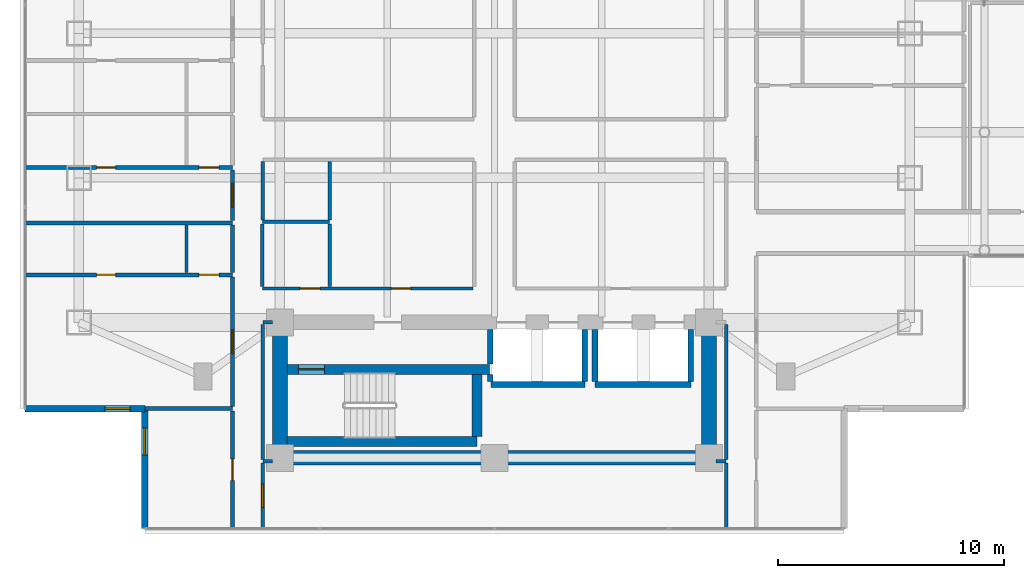
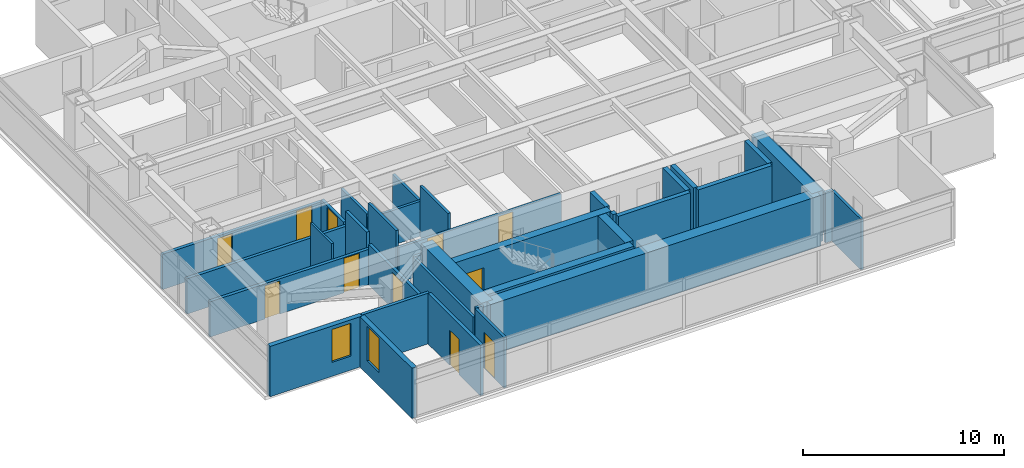
# One storey, part 15 of 27: 37 walls, 11 doors, 2 windows, 13 openings.
"""IFC4 building model written with IfcOpenShell, lengths in metres."""

from ifc_helpers import new_model, si_unit, direction, frame, frame_2d, origin, place, context, subcontext, project, spatial, rectangle, extrude, material, layer, layer_set, type_object, element, fill, save


model = new_model("IFC4")

# Units and contexts
model_context = context("Model", 3, precision=1e-05, world=origin(), true_north=direction((0.0, 1.0)))
body_context = subcontext(model_context, "Body", "Model", "MODEL_VIEW")
ifc_project = project(units=[si_unit("LENGTHUNIT", "METRE"), si_unit("AREAUNIT", "SQUARE_METRE"), si_unit("VOLUMEUNIT", "CUBIC_METRE"), si_unit("PLANEANGLEUNIT", "RADIAN"), si_unit("MASSUNIT", "GRAM", prefix="KILO")], contexts=[model_context])

# Site, building, storey
site_placement = place(None, origin())
site = spatial("IfcSite", under=ifc_project, at=site_placement, CompositionType="ELEMENT")
building_placement = place(site_placement, origin())
building = spatial("IfcBuilding", under=site, at=building_placement, Name="Mirazonda Arch Towers", CompositionType="ELEMENT")
storey_placement = place(building_placement, frame((0.0, 0.0, 95.0)))
storey = spatial("IfcBuildingStorey", under=building, at=storey_placement, Name="L26", CompositionType="ELEMENT", Elevation=95.0)

# Wall
ifc_material_1 = material(Name="Concrete C50/60", Category="concrete")
ifc_layer_1 = layer(ifc_material_1, 0.449951171875, Name="WALL-CORE-450")
ifc_layer_set_1 = layer_set([ifc_layer_1], Name="Concrete C50/60")
wall_type_1 = type_object("IfcWallType", Name="WALL-CORE-450", PredefinedType="SHEAR", material=ifc_layer_set_1)
wall_1_placement = place(storey_placement, frame((11.320068359375, 13.1201171875, 0.0), z_axis=(0.0, 0.0, 1.0), x_axis=(1.0, 0.0, 0.0)))
element("IfcWall", 1, at=wall_1_placement, inside=storey, type_object=wall_type_1, Name="L26 Stair Core Shear Wall 003", PredefinedType="SHEAR", context=body_context, shape_type="SweptSolid", body=[
    extrude(rectangle(XDim=8.409912109375, YDim=0.449951171875, at=frame_2d((4.205078125, 0.0))), origin(), (0.0, 0.0, 1.0), 3.080078125),
])

# Wall, opening, door
wall_2_placement = place(storey_placement, frame((11.320068359375, 16.320068359375, 0.0), z_axis=(0.0, 0.0, 1.0), x_axis=(1.0, 0.0, 0.0)))
wall_2 = element("IfcWall", 2, at=wall_2_placement, inside=storey, type_object=wall_type_1, Name="L26 Stair Core Shear Wall 008", PredefinedType="SHEAR", context=body_context, shape_type="SweptSolid", body=[
    extrude(rectangle(XDim=8.9599609375, YDim=0.449951171875, at=frame_2d((4.47998046875, 0.0))), origin(), (0.0, 0.0, 1.0), 3.080078125),
])
opening_1_placement = place(wall_2_placement, frame((0.4951171875, 0.0, 0.0)))
opening_1 = element("IfcOpeningElement", 3, at=opening_1_placement, cuts=wall_2, Name="Opening DR-135", PredefinedType="OPENING", context=body_context, shape_type="SweptSolid", body=[
    extrude(rectangle(XDim=1.14990234375, YDim=2.199951171875, at=frame_2d((0.574951171875, 1.10009765625))), frame((0.0, 0.23486328125, 0.0), z_axis=(0.0, -1.0, 0.0), x_axis=(1.0, 0.0, 0.0)), (0.0, 0.0, 1.0), 0.469970703125),
])
ifc_material_2 = material(Name="Architectural Brushed Steel S355", Category="steel")
door_type_1 = type_object("IfcDoorType", Name="DOOR-STAIR-FD90-1150", OperationType="NOTDEFINED", PredefinedType="DOOR", material=ifc_material_2)
door_1_placement = place(opening_1_placement, origin())
door_1 = element("IfcDoor", 4, at=door_1_placement, inside=storey, type_object=door_type_1, Name="L26 Protected Exit Stair South Door", OperationType="SINGLE_SWING_LEFT", OverallHeight=2.199951171875, OverallWidth=1.14990234375, PredefinedType="DOOR", context=body_context, shape_type="SweptSolid", body=[
    extrude(rectangle(XDim=1.14990234375, YDim=2.199951171875, at=frame_2d((0.574951171875, 1.10009765625))), frame((0.0, 0.02490234375, 0.0), z_axis=(0.0, -1.0, 0.0), x_axis=(1.0, 0.0, 0.0)), (0.0, 0.0, 1.0), 0.050048828125),
])
fill(opening_1, door_1)

# Walls
wall_3_placement = place(storey_placement, frame((19.72998046875, 13.35498046875, 0.0), z_axis=(0.0, 0.0, 1.0), x_axis=(0.0, 1.0, 0.0)))
element("IfcWall", 5, at=wall_3_placement, inside=storey, type_object=wall_type_1, Name="L26 Stair Core Shear Wall 098", PredefinedType="SHEAR", context=body_context, shape_type="SweptSolid", body=[
    extrude(rectangle(XDim=2.72998046875, YDim=0.449951171875, at=frame_2d((1.364990234375, 0.0))), origin(), (0.0, 0.0, 1.0), 3.080078125),
])
ifc_material_3 = material(Name="Concrete C60/75", Category="concrete")
ifc_layer_2 = layer(ifc_material_3, 0.64990234375, Name="WALL-CORE-650")
ifc_layer_set_2 = layer_set([ifc_layer_2], Name="Concrete C60/75")
wall_type_2 = type_object("IfcWallType", Name="WALL-CORE-650", PredefinedType="SHEAR", material=ifc_layer_set_2)
wall_4_placement = place(storey_placement, frame((11.0, 12.39990234375, 0.0), z_axis=(0.0, 0.0, 1.0), x_axis=(1.0, 0.0, 0.0)))
element("IfcWall", 6, at=wall_4_placement, inside=storey, type_object=wall_type_2, Name="L26 T1S-S Core Shear Wall", PredefinedType="SHEAR", context=body_context, shape_type="SweptSolid", body=[
    extrude(rectangle(XDim=19.0, YDim=0.64990234375, at=frame_2d((9.5, 0.0))), origin(), (0.0, 0.0, 1.0), 3.080078125),
])
for number, where, z_axis, x_axis, name in (
    (7, (11.0, 12.39990234375, 0.0), (0.0, 0.0, 1.0), (0.0, 1.0, 0.0), "L26 T1S-W Core Shear Wall"),
    (8, (30.0, 12.39990234375, 0.0), (0.0, 0.0, 1.0), (0.0, 1.0, 0.0), "L26 T1S-E Core Shear Wall"),
):
    element("IfcWall", number, at=place(storey_placement, frame(where, z_axis=z_axis, x_axis=x_axis)), inside=storey, type_object=wall_type_2, Name=name, PredefinedType="SHEAR", context=body_context, shape_type="SweptSolid", body=[
        extrude(rectangle(XDim=6.0, YDim=0.64990234375, at=frame_2d((3.0, 0.0))), origin(), (0.0, 0.0, 1.0), 3.080078125),
    ])

# Wall, opening, window
ifc_material_4 = material(Name="Precast Concrete C40/50", Category="concrete")
ifc_layer_3 = layer(ifc_material_4, 0.280029296875, Name="WALL-EXT-WALL-280")
ifc_layer_set_3 = layer_set([ifc_layer_3], Name="Precast Concrete C40/50")
wall_type_3 = type_object("IfcWallType", Name="WALL-EXT-WALL-280", PredefinedType="SOLIDWALL", material=ifc_layer_set_3)
wall_5_placement = place(storey_placement, frame((5.014892578125, 14.5791015625, 0.0), z_axis=(0.0, 0.0, 1.0), x_axis=(0.0, -1.0, 0.0)))
wall_5 = element("IfcWall", 9, at=wall_5_placement, inside=storey, type_object=wall_type_3, Name="L26 T1 Notched SW Corner Wall WL-L26-T1-CSW", PredefinedType="SOLIDWALL", context=body_context, shape_type="SweptSolid", body=[
    extrude(rectangle(XDim=5.30517578125, YDim=0.280029296875, at=frame_2d((2.652587890625, 0.0))), origin(), (0.0, 0.0, 1.0), 3.06005859375),
])
opening_2_placement = place(wall_5_placement, frame((0.85009765625, 0.0, 0.81005859375)))
opening_2 = element("IfcOpeningElement", 10, at=opening_2_placement, cuts=wall_5, Name="Opening WN-122", PredefinedType="OPENING", context=body_context, shape_type="SweptSolid", body=[
    extrude(rectangle(XDim=1.199951171875, YDim=2.10009765625, at=frame_2d((0.60009765625, 1.050048828125))), frame((0.0, 0.14990234375, 0.0), z_axis=(0.0, -1.0, 0.0), x_axis=(1.0, 0.0, 0.0)), (0.0, 0.0, 1.0), 0.300048828125),
])
ifc_material_5 = material(Name="Insulated Low-E Solar Glass", Category="glass")
window_type_1 = type_object("IfcWindowType", Name="WIN-HTL-1200x2100", PartitioningType="SINGLE_PANEL", PredefinedType="WINDOW", material=ifc_material_5)
window_1_placement = place(opening_2_placement, origin())
window_1 = element("IfcWindow", 11, at=window_1_placement, inside=storey, type_object=window_type_1, Name="L26 Punched Facade Window WN-L26-T1-CSW", OverallHeight=2.10009765625, OverallWidth=1.199951171875, PartitioningType="SINGLE_PANEL", PredefinedType="WINDOW", context=body_context, shape_type="SweptSolid", body=[
    extrude(rectangle(XDim=1.199951171875, YDim=2.10009765625, at=frame_2d((0.60009765625, 1.050048828125))), frame((0.0, 0.030029296875, 0.0), z_axis=(0.0, -1.0, 0.0), x_axis=(1.0, 0.0, 0.0)), (0.0, 0.0, 1.0), 0.06005859375),
])
fill(opening_2, window_1)

wall_6_placement = place(storey_placement, frame((-0.2900390625, 14.5791015625, 0.0), z_axis=(0.0, 0.0, 1.0), x_axis=(1.0, 0.0, 0.0)))
wall_6 = element("IfcWall", 12, at=wall_6_placement, inside=storey, type_object=wall_type_3, Name="L26 T1 Corner Notch Return Wall WL-L26-T1-CSW2", PredefinedType="SOLIDWALL", context=body_context, shape_type="SweptSolid", body=[
    extrude(rectangle(XDim=5.304931640625, YDim=0.280029296875, at=frame_2d((2.65234375, 0.0))), origin(), (0.0, 0.0, 1.0), 3.06005859375),
])
opening_3_placement = place(wall_6_placement, frame((3.554931640625, 0.0, 0.85009765625)))
opening_3 = element("IfcOpeningElement", 13, at=opening_3_placement, cuts=wall_6, Name="Opening WN-108", PredefinedType="OPENING", context=body_context, shape_type="SweptSolid", body=[
    extrude(rectangle(XDim=1.10009765625, YDim=2.0, at=frame_2d((0.550048828125, 1.0))), frame((0.0, 0.14990234375, 0.0), z_axis=(0.0, -1.0, 0.0), x_axis=(1.0, 0.0, 0.0)), (0.0, 0.0, 1.0), 0.300048828125),
])
window_type_2 = type_object("IfcWindowType", Name="WIN-NOTCH-1100x2000", PartitioningType="SINGLE_PANEL", PredefinedType="WINDOW", material=ifc_material_5)
window_2_placement = place(opening_3_placement, origin())
window_2 = element("IfcWindow", 14, at=window_2_placement, inside=storey, type_object=window_type_2, Name="L26 Punched Facade Window WN-L26-T1-CSW2", OverallHeight=2.0, OverallWidth=1.10009765625, PartitioningType="SINGLE_PANEL", PredefinedType="WINDOW", context=body_context, shape_type="SweptSolid", body=[
    extrude(rectangle(XDim=1.10009765625, YDim=2.0, at=frame_2d((0.550048828125, 1.0))), frame((0.0, 0.030029296875, 0.0), z_axis=(0.0, -1.0, 0.0), x_axis=(1.0, 0.0, 0.0)), (0.0, 0.0, 1.0), 0.06005859375),
])
fill(opening_3, window_2)

# Walls
ifc_material_6 = material(Name="Fire-Rated Gypsum Stud Partition")
ifc_layer_4 = layer(ifc_material_6, 0.14990234375, Name="WALL-PART-CORR-150")
ifc_layer_set_4 = layer_set([ifc_layer_4], Name="Fire-Rated Gypsum Stud Partition")
wall_type_4 = type_object("IfcWallType", Name="WALL-PART-CORR-150", PredefinedType="PARTITIONING", material=ifc_layer_set_4)
for number, where, z_axis, x_axis, name in (
    (15, (10.239990234375, 12.25, 0.0), (0.0, 0.0, 1.0), (1.0, 0.0, 0.0), "L26 Interior Partition 001"),
    (16, (30.320068359375, 12.25, 0.0), (0.0, 0.0, 1.0), (1.0, 0.0, 0.0), "L26 Interior Partition 002"),
):
    element("IfcWall", number, at=place(storey_placement, frame(where, z_axis=z_axis, x_axis=x_axis)), inside=storey, type_object=wall_type_4, Name=name, PredefinedType="PARTITIONING", context=body_context, shape_type="SweptSolid", body=[
        extrude(rectangle(XDim=0.43994140625, YDim=0.14990234375, at=frame_2d((0.219970703125, 0.0))), origin(), (0.0, 0.0, 1.0), 3.080078125),
    ])
wall_7_placement = place(storey_placement, frame((10.239990234375, 18.39990234375, 0.0), z_axis=(0.0, 0.0, 1.0), x_axis=(1.0, 0.0, 0.0)))
element("IfcWall", 17, at=wall_7_placement, inside=storey, type_object=wall_type_4, Name="L26 Interior Partition 012", PredefinedType="PARTITIONING", context=body_context, shape_type="SweptSolid", body=[
    extrude(rectangle(XDim=0.43994140625, YDim=0.14990234375, at=frame_2d((0.219970703125, 0.0))), origin(), (0.0, 0.0, 1.0), 2.4560546875),
])

# Wall, openings, doors
wall_8_placement = place(storey_placement, frame((10.219970703125, 19.89990234375, 0.0), z_axis=(0.0, 0.0, 1.0), x_axis=(1.0, 0.0, 0.0)))
wall_8 = element("IfcWall", 18, at=wall_8_placement, inside=storey, type_object=wall_type_4, Name="L26 Interior Partition 015", PredefinedType="PARTITIONING", context=body_context, shape_type="SweptSolid", body=[
    extrude(rectangle(XDim=9.340087890625, YDim=0.14990234375, at=frame_2d((4.669921875, 0.0))), origin(), (0.0, 0.0, 1.0), 2.1240234375),
])
opening_4_placement = place(wall_8_placement, frame((1.659912109375, 0.0, 0.0)))
opening_4 = element("IfcOpeningElement", 19, at=opening_4_placement, cuts=wall_8, Name="Opening DR-120", PredefinedType="OPENING", context=body_context, shape_type="SweptSolid", body=[
    extrude(rectangle(XDim=0.89990234375, YDim=2.10009765625, at=frame_2d((0.449951171875, 1.050048828125))), frame((0.0, 0.0849609375, 0.0), z_axis=(0.0, -1.0, 0.0), x_axis=(1.0, 0.0, 0.0)), (0.0, 0.0, 1.0), 0.169921875),
])
opening_5_placement = place(wall_8_placement, frame((5.715087890625, 0.0, 0.0)))
opening_5 = element("IfcOpeningElement", 20, at=opening_5_placement, cuts=wall_8, Name="Opening DR-128", PredefinedType="OPENING", context=body_context, shape_type="SweptSolid", body=[
    extrude(rectangle(XDim=0.85009765625, YDim=2.010009765625, at=frame_2d((0.425048828125, 1.0048828125))), frame((0.0, 0.0849609375, 0.0), z_axis=(0.0, -1.0, 0.0), x_axis=(1.0, 0.0, 0.0)), (0.0, 0.0, 1.0), 0.169921875),
])
door_type_2 = type_object("IfcDoorType", Name="DOOR-RISER-FD60-850", OperationType="NOTDEFINED", PredefinedType="DOOR", material=ifc_material_2)
door_2_placement = place(opening_5_placement, origin())
door_2 = element("IfcDoor", 21, at=door_2_placement, inside=storey, type_object=door_type_2, Name="L26 L26 West Courtyard Study Door", OperationType="SINGLE_SWING_LEFT", OverallHeight=2.010009765625, OverallWidth=0.85009765625, PredefinedType="DOOR", context=body_context, shape_type="SweptSolid", body=[
    extrude(rectangle(XDim=0.85009765625, YDim=2.010009765625, at=frame_2d((0.425048828125, 1.0048828125))), frame((0.0, 0.02490234375, 0.0), z_axis=(0.0, -1.0, 0.0), x_axis=(1.0, 0.0, 0.0)), (0.0, 0.0, 1.0), 0.050048828125),
])
fill(opening_5, door_2)
door_type_3 = type_object("IfcDoorType", Name="DOOR-WC-900", OperationType="NOTDEFINED", PredefinedType="DOOR", material=ifc_material_2)
door_3_placement = place(opening_4_placement, origin())
door_3 = element("IfcDoor", 22, at=door_3_placement, inside=storey, type_object=door_type_3, Name="L26 Common Accessible WC Door", OperationType="SINGLE_SWING_RIGHT", OverallHeight=2.10009765625, OverallWidth=0.89990234375, PredefinedType="DOOR", context=body_context, shape_type="SweptSolid", body=[
    extrude(rectangle(XDim=0.89990234375, YDim=2.10009765625, at=frame_2d((0.449951171875, 1.050048828125))), frame((0.0, 0.02490234375, 0.0), z_axis=(0.0, -1.0, 0.0), x_axis=(1.0, 0.0, 0.0)), (0.0, 0.0, 1.0), 0.050048828125),
])
fill(opening_4, door_3)

# Walls
wall_9_placement = place(storey_placement, frame((10.219970703125, 22.85009765625, 0.0), z_axis=(0.0, 0.0, 1.0), x_axis=(1.0, 0.0, 0.0)))
element("IfcWall", 23, at=wall_9_placement, inside=storey, type_object=wall_type_4, Name="L26 Interior Partition 026", PredefinedType="PARTITIONING", context=body_context, shape_type="SweptSolid", body=[
    extrude(rectangle(XDim=2.97998046875, YDim=0.14990234375, at=frame_2d((1.489990234375, 0.0))), origin(), (0.0, 0.0, 1.0), 2.1240234375),
])
wall_10_placement = place(storey_placement, frame((10.219970703125, 19.985107421875, 0.0), z_axis=(0.0, 0.0, 1.0), x_axis=(0.0, 1.0, 0.0)))
element("IfcWall", 24, at=wall_10_placement, inside=storey, type_object=wall_type_4, Name="L26 Interior Partition 084", PredefinedType="PARTITIONING", context=body_context, shape_type="SweptSolid", body=[
    extrude(rectangle(XDim=2.77978515625, YDim=0.14990234375, at=frame_2d((1.389892578125, 0.0))), origin(), (0.0, 0.0, 1.0), 3.080078125),
])

# Wall, opening, door
wall_11_placement = place(storey_placement, frame((10.239990234375, 9.27392578125, 0.0), z_axis=(0.0, 0.0, 1.0), x_axis=(0.0, 1.0, 0.0)))
wall_11 = element("IfcWall", 25, at=wall_11_placement, inside=storey, type_object=wall_type_4, Name="L26 Interior Partition 085", PredefinedType="PARTITIONING", context=body_context, shape_type="SweptSolid", body=[
    extrude(rectangle(XDim=2.89111328125, YDim=0.14990234375, at=frame_2d((1.445556640625, 0.0))), origin(), (0.0, 0.0, 1.0), 3.080078125),
])
opening_6_placement = place(wall_11_placement, frame((0.92041015625, 0.0, 0.0)))
opening_6 = element("IfcOpeningElement", 26, at=opening_6_placement, cuts=wall_11, Name="Opening DR-121", PredefinedType="OPENING", context=body_context, shape_type="SweptSolid", body=[
    extrude(rectangle(XDim=1.050048828125, YDim=2.199951171875, at=frame_2d((0.52490234375, 1.10009765625))), frame((0.0, 0.0849609375, 0.0), z_axis=(0.0, -1.0, 0.0), x_axis=(1.0, 0.0, 0.0)), (0.0, 0.0, 1.0), 0.169921875),
])
door_type_4 = type_object("IfcDoorType", Name="DOOR-SUITE-FD60-1050", OperationType="NOTDEFINED", PredefinedType="DOOR", material=ifc_material_2)
door_4_placement = place(opening_6_placement, origin())
door_4 = element("IfcDoor", 27, at=door_4_placement, inside=storey, type_object=door_type_4, Name="L26 South Horizon Lounge Gallery Door", OperationType="SINGLE_SWING_LEFT", OverallHeight=2.199951171875, OverallWidth=1.050048828125, PredefinedType="DOOR", context=body_context, shape_type="SweptSolid", body=[
    extrude(rectangle(XDim=1.050048828125, YDim=2.199951171875, at=frame_2d((0.52490234375, 1.10009765625))), frame((0.0, 0.02490234375, 0.0), z_axis=(0.0, -1.0, 0.0), x_axis=(1.0, 0.0, 0.0)), (0.0, 0.0, 1.0), 0.050048828125),
])
fill(opening_6, door_4)

# Walls
wall_12_placement = place(storey_placement, frame((10.239990234375, 12.3349609375, 0.0), z_axis=(0.0, 0.0, 1.0), x_axis=(0.0, 1.0, 0.0)))
element("IfcWall", 28, at=wall_12_placement, inside=storey, type_object=wall_type_4, Name="L26 Interior Partition 086", PredefinedType="PARTITIONING", context=body_context, shape_type="SweptSolid", body=[
    extrude(rectangle(XDim=5.97998046875, YDim=0.14990234375, at=frame_2d((2.989990234375, 0.0))), origin(), (0.0, 0.0, 1.0), 2.4560546875),
])
wall_13_placement = place(storey_placement, frame((10.239990234375, 22.93505859375, 0.0), z_axis=(0.0, 0.0, 1.0), x_axis=(0.0, 1.0, 0.0)))
element("IfcWall", 29, at=wall_13_placement, inside=storey, type_object=wall_type_4, Name="L26 Interior Partition 087", PredefinedType="PARTITIONING", context=body_context, shape_type="SweptSolid", body=[
    extrude(rectangle(XDim=2.579833984375, YDim=0.14990234375, at=frame_2d((1.2900390625, 0.0))), origin(), (0.0, 0.0, 1.0), 2.299072265625),
])
wall_14_placement = place(storey_placement, frame((13.199951171875, 19.985107421875, 0.0), z_axis=(0.0, 0.0, 1.0), x_axis=(0.0, 1.0, 0.0)))
element("IfcWall", 30, at=wall_14_placement, inside=storey, type_object=wall_type_4, Name="L26 Interior Partition 092", PredefinedType="PARTITIONING", context=body_context, shape_type="SweptSolid", body=[
    extrude(rectangle(XDim=2.77978515625, YDim=0.14990234375, at=frame_2d((1.389892578125, 0.0))), origin(), (0.0, 0.0, 1.0), 3.080078125),
])
wall_15_placement = place(storey_placement, frame((13.199951171875, 22.93505859375, 0.0), z_axis=(0.0, 0.0, 1.0), x_axis=(0.0, 1.0, 0.0)))
element("IfcWall", 31, at=wall_15_placement, inside=storey, type_object=wall_type_4, Name="L26 Interior Partition 093", PredefinedType="PARTITIONING", context=body_context, shape_type="SweptSolid", body=[
    extrude(rectangle(XDim=2.579833984375, YDim=0.14990234375, at=frame_2d((1.2900390625, 0.0))), origin(), (0.0, 0.0, 1.0), 2.1240234375),
])
wall_16_placement = place(storey_placement, frame((30.760009765625, 9.27392578125, 0.0), z_axis=(0.0, 0.0, 1.0), x_axis=(0.0, 1.0, 0.0)))
element("IfcWall", 32, at=wall_16_placement, inside=storey, type_object=wall_type_4, Name="L26 Interior Partition 112", PredefinedType="PARTITIONING", context=body_context, shape_type="SweptSolid", body=[
    extrude(rectangle(XDim=2.89111328125, YDim=0.14990234375, at=frame_2d((1.445556640625, 0.0))), origin(), (0.0, 0.0, 1.0), 3.080078125),
])
wall_17_placement = place(storey_placement, frame((30.760009765625, 12.3349609375, 0.0), z_axis=(0.0, 0.0, 1.0), x_axis=(0.0, 1.0, 0.0)))
element("IfcWall", 33, at=wall_17_placement, inside=storey, type_object=wall_type_4, Name="L26 Interior Partition 113", PredefinedType="PARTITIONING", context=body_context, shape_type="SweptSolid", body=[
    extrude(rectangle(XDim=5.97998046875, YDim=0.14990234375, at=frame_2d((2.989990234375, 0.0))), origin(), (0.0, 0.0, 1.0), 2.4560546875),
])
ifc_material_7 = material(Name="Fire-Rated Gypsum Twin-Stud Assembly")
ifc_layer_5 = layer(ifc_material_7, 0.179931640625, Name="WALL-PART-DEMISE-180")
ifc_layer_set_5 = layer_set([ifc_layer_5], Name="Fire-Rated Gypsum Twin-Stud Assembly")
wall_type_5 = type_object("IfcWallType", Name="WALL-PART-DEMISE-180", PredefinedType="PARTITIONING", material=ifc_layer_set_5)
wall_18_placement = place(storey_placement, frame((5.034912109375, 14.5791015625, 0.0), z_axis=(0.0, 0.0, 1.0), x_axis=(1.0, 0.0, 0.0)))
element("IfcWall", 34, at=wall_18_placement, inside=storey, type_object=wall_type_5, Name="L26 Interior Partition 004", PredefinedType="PARTITIONING", context=body_context, shape_type="SweptSolid", body=[
    extrude(rectangle(XDim=3.864990234375, YDim=0.179931640625, at=frame_2d((1.9326171875, 0.0))), origin(), (0.0, 0.0, 1.0), 3.080078125),
])

# Wall, openings, doors
wall_19_placement = place(storey_placement, frame((-0.2900390625, 20.508056640625, 0.0), z_axis=(0.0, 0.0, 1.0), x_axis=(1.0, 0.0, 0.0)))
wall_19 = element("IfcWall", 35, at=wall_19_placement, inside=storey, type_object=wall_type_5, Name="L26 Interior Partition 019", PredefinedType="PARTITIONING", context=body_context, shape_type="SweptSolid", body=[
    extrude(rectangle(XDim=9.18994140625, YDim=0.179931640625, at=frame_2d((4.594970703125, 0.0))), origin(), (0.0, 0.0, 1.0), 2.14501953125),
])
opening_7_placement = place(wall_19_placement, frame((3.169921875, 0.0, 0.0)))
opening_7 = element("IfcOpeningElement", 36, at=opening_7_placement, cuts=wall_19, Name="Opening DR-128", PredefinedType="OPENING", context=body_context, shape_type="SweptSolid", body=[
    extrude(rectangle(XDim=0.85009765625, YDim=2.010009765625, at=frame_2d((0.425048828125, 1.0048828125))), frame((0.0, 0.099853515625, 0.0), z_axis=(0.0, -1.0, 0.0), x_axis=(1.0, 0.0, 0.0)), (0.0, 0.0, 1.0), 0.199951171875),
])
opening_8_placement = place(wall_19_placement, frame((7.699951171875, 0.0, 0.0)))
opening_8 = element("IfcOpeningElement", 37, at=opening_8_placement, cuts=wall_19, Name="Opening DR-120", PredefinedType="OPENING", context=body_context, shape_type="SweptSolid", body=[
    extrude(rectangle(XDim=0.89990234375, YDim=2.10009765625, at=frame_2d((0.449951171875, 1.050048828125))), frame((0.0, 0.099853515625, 0.0), z_axis=(0.0, -1.0, 0.0), x_axis=(1.0, 0.0, 0.0)), (0.0, 0.0, 1.0), 0.199951171875),
])
door_5_placement = place(opening_7_placement, origin())
door_5 = element("IfcDoor", 38, at=door_5_placement, inside=storey, type_object=door_type_2, Name="L26 Guestroom Study 1 Door", OperationType="SINGLE_SWING_RIGHT", OverallHeight=2.010009765625, OverallWidth=0.85009765625, PredefinedType="DOOR", context=body_context, shape_type="SweptSolid", body=[
    extrude(rectangle(XDim=0.85009765625, YDim=2.010009765625, at=frame_2d((0.425048828125, 1.0048828125))), frame((0.0, 0.02490234375, 0.0), z_axis=(0.0, -1.0, 0.0), x_axis=(1.0, 0.0, 0.0)), (0.0, 0.0, 1.0), 0.050048828125),
])
fill(opening_7, door_5)
door_6_placement = place(opening_8_placement, origin())
door_6 = element("IfcDoor", 39, at=door_6_placement, inside=storey, type_object=door_type_3, Name="L26 En-Suite Bathroom 1 Door", OperationType="SINGLE_SWING_LEFT", OverallHeight=2.10009765625, OverallWidth=0.89990234375, PredefinedType="DOOR", context=body_context, shape_type="SweptSolid", body=[
    extrude(rectangle(XDim=0.89990234375, YDim=2.10009765625, at=frame_2d((0.449951171875, 1.050048828125))), frame((0.0, 0.02490234375, 0.0), z_axis=(0.0, -1.0, 0.0), x_axis=(1.0, 0.0, 0.0)), (0.0, 0.0, 1.0), 0.050048828125),
])
fill(opening_8, door_6)

# Wall
wall_20_placement = place(storey_placement, frame((-0.2900390625, 22.80810546875, 0.0), z_axis=(0.0, 0.0, 1.0), x_axis=(1.0, 0.0, 0.0)))
element("IfcWall", 40, at=wall_20_placement, inside=storey, type_object=wall_type_5, Name="L26 Interior Partition 025", PredefinedType="PARTITIONING", context=body_context, shape_type="SweptSolid", body=[
    extrude(rectangle(XDim=9.18994140625, YDim=0.179931640625, at=frame_2d((4.594970703125, 0.0))), origin(), (0.0, 0.0, 1.0), 2.14501953125),
])

# Wall, openings, doors
wall_21_placement = place(storey_placement, frame((-0.2900390625, 25.259033203125, 0.0), z_axis=(0.0, 0.0, 1.0), x_axis=(1.0, 0.0, 0.0)))
wall_21 = element("IfcWall", 41, at=wall_21_placement, inside=storey, type_object=wall_type_5, Name="L26 Interior Partition 030", PredefinedType="PARTITIONING", context=body_context, shape_type="SweptSolid", body=[
    extrude(rectangle(XDim=9.18994140625, YDim=0.179931640625, at=frame_2d((4.594970703125, 0.0))), origin(), (0.0, 0.0, 1.0), 2.14501953125),
])
opening_9_placement = place(wall_21_placement, frame((3.169921875, 0.0, 0.0)))
opening_9 = element("IfcOpeningElement", 42, at=opening_9_placement, cuts=wall_21, Name="Opening DR-128", PredefinedType="OPENING", context=body_context, shape_type="SweptSolid", body=[
    extrude(rectangle(XDim=0.85009765625, YDim=2.010009765625, at=frame_2d((0.425048828125, 1.0048828125))), frame((0.0, 0.099853515625, 0.0), z_axis=(0.0, -1.0, 0.0), x_axis=(1.0, 0.0, 0.0)), (0.0, 0.0, 1.0), 0.199951171875),
])
opening_10_placement = place(wall_21_placement, frame((7.699951171875, 0.0, 0.0)))
opening_10 = element("IfcOpeningElement", 43, at=opening_10_placement, cuts=wall_21, Name="Opening DR-120", PredefinedType="OPENING", context=body_context, shape_type="SweptSolid", body=[
    extrude(rectangle(XDim=0.89990234375, YDim=2.10009765625, at=frame_2d((0.449951171875, 1.050048828125))), frame((0.0, 0.099853515625, 0.0), z_axis=(0.0, -1.0, 0.0), x_axis=(1.0, 0.0, 0.0)), (0.0, 0.0, 1.0), 0.199951171875),
])
door_7_placement = place(opening_9_placement, origin())
door_7 = element("IfcDoor", 44, at=door_7_placement, inside=storey, type_object=door_type_2, Name="L26 Guestroom Study 2 Door", OperationType="SINGLE_SWING_LEFT", OverallHeight=2.010009765625, OverallWidth=0.85009765625, PredefinedType="DOOR", context=body_context, shape_type="SweptSolid", body=[
    extrude(rectangle(XDim=0.85009765625, YDim=2.010009765625, at=frame_2d((0.425048828125, 1.0048828125))), frame((0.0, 0.02490234375, 0.0), z_axis=(0.0, -1.0, 0.0), x_axis=(1.0, 0.0, 0.0)), (0.0, 0.0, 1.0), 0.050048828125),
])
fill(opening_9, door_7)
door_8_placement = place(opening_10_placement, origin())
door_8 = element("IfcDoor", 45, at=door_8_placement, inside=storey, type_object=door_type_3, Name="L26 En-Suite Bathroom 2 Door", OperationType="SINGLE_SWING_RIGHT", OverallHeight=2.10009765625, OverallWidth=0.89990234375, PredefinedType="DOOR", context=body_context, shape_type="SweptSolid", body=[
    extrude(rectangle(XDim=0.89990234375, YDim=2.10009765625, at=frame_2d((0.449951171875, 1.050048828125))), frame((0.0, 0.02490234375, 0.0), z_axis=(0.0, -1.0, 0.0), x_axis=(1.0, 0.0, 0.0)), (0.0, 0.0, 1.0), 0.050048828125),
])
fill(opening_10, door_8)

# Wall, opening, door
wall_22_placement = place(storey_placement, frame((8.89990234375, 9.27392578125, 0.0), z_axis=(0.0, 0.0, 1.0), x_axis=(0.0, 1.0, 0.0)))
wall_22 = element("IfcWall", 46, at=wall_22_placement, inside=storey, type_object=wall_type_5, Name="L26 Interior Partition 074", PredefinedType="PARTITIONING", context=body_context, shape_type="SweptSolid", body=[
    extrude(rectangle(XDim=5.205078125, YDim=0.179931640625, at=frame_2d((2.6025390625, 0.0))), origin(), (0.0, 0.0, 1.0), 3.080078125),
])
opening_11_placement = place(wall_22_placement, frame((2.12744140625, 0.0, 0.0)))
opening_11 = element("IfcOpeningElement", 47, at=opening_11_placement, cuts=wall_22, Name="Opening DR-104", PredefinedType="OPENING", context=body_context, shape_type="SweptSolid", body=[
    extrude(rectangle(XDim=0.949951171875, YDim=2.14990234375, at=frame_2d((0.47509765625, 1.074951171875))), frame((0.0, 0.099853515625, 0.0), z_axis=(0.0, -1.0, 0.0), x_axis=(1.0, 0.0, 0.0)), (0.0, 0.0, 1.0), 0.199951171875),
])
door_type_5 = type_object("IfcDoorType", Name="DOOR-ROOM-950", OperationType="NOTDEFINED", PredefinedType="DOOR", material=ifc_material_2)
door_9_placement = place(opening_11_placement, origin())
door_9 = element("IfcDoor", 48, at=door_9_placement, inside=storey, type_object=door_type_5, Name="L26 South Horizon Lounge Alcove West Door", OperationType="SINGLE_SWING_RIGHT", OverallHeight=2.14990234375, OverallWidth=0.949951171875, PredefinedType="DOOR", context=body_context, shape_type="SweptSolid", body=[
    extrude(rectangle(XDim=0.949951171875, YDim=2.14990234375, at=frame_2d((0.47509765625, 1.074951171875))), frame((0.0, 0.02490234375, 0.0), z_axis=(0.0, -1.0, 0.0), x_axis=(1.0, 0.0, 0.0)), (0.0, 0.0, 1.0), 0.050048828125),
])
fill(opening_11, door_9)

wall_23_placement = place(storey_placement, frame((8.89990234375, 14.678955078125, 0.0), z_axis=(0.0, 0.0, 1.0), x_axis=(0.0, 1.0, 0.0)))
wall_23 = element("IfcWall", 49, at=wall_23_placement, inside=storey, type_object=wall_type_5, Name="L26 Interior Partition 075", PredefinedType="PARTITIONING", context=body_context, shape_type="SweptSolid", body=[
    extrude(rectangle(XDim=5.72900390625, YDim=0.179931640625, at=frame_2d((2.864501953125, 0.0))), origin(), (0.0, 0.0, 1.0), 2.4560546875),
])
opening_12_placement = place(wall_23_placement, frame((2.339599609375, 0.0, 0.0)))
opening_12 = element("IfcOpeningElement", 50, at=opening_12_placement, cuts=wall_23, Name="Opening DR-121", PredefinedType="OPENING", context=body_context, shape_type="SweptSolid", body=[
    extrude(rectangle(XDim=1.050048828125, YDim=2.199951171875, at=frame_2d((0.52490234375, 1.10009765625))), frame((0.0, 0.099853515625, 0.0), z_axis=(0.0, -1.0, 0.0), x_axis=(1.0, 0.0, 0.0)), (0.0, 0.0, 1.0), 0.199951171875),
])
door_10_placement = place(opening_12_placement, origin())
door_10 = element("IfcDoor", 51, at=door_10_placement, inside=storey, type_object=door_type_4, Name="L26 King Hotel Guestroom 1 Door", OperationType="SINGLE_SWING_LEFT", OverallHeight=2.199951171875, OverallWidth=1.050048828125, PredefinedType="DOOR", context=body_context, shape_type="SweptSolid", body=[
    extrude(rectangle(XDim=1.050048828125, YDim=2.199951171875, at=frame_2d((0.52490234375, 1.10009765625))), frame((0.0, 0.02490234375, 0.0), z_axis=(0.0, -1.0, 0.0), x_axis=(1.0, 0.0, 0.0)), (0.0, 0.0, 1.0), 0.050048828125),
])
fill(opening_12, door_10)

# Wall
wall_24_placement = place(storey_placement, frame((8.89990234375, 20.60791015625, 0.0), z_axis=(0.0, 0.0, 1.0), x_axis=(0.0, 1.0, 0.0)))
element("IfcWall", 52, at=wall_24_placement, inside=storey, type_object=wall_type_5, Name="L26 Interior Partition 076", PredefinedType="PARTITIONING", context=body_context, shape_type="SweptSolid", body=[
    extrude(rectangle(XDim=2.10009765625, YDim=0.179931640625, at=frame_2d((1.050048828125, 0.0))), origin(), (0.0, 0.0, 1.0), 3.080078125),
])

# Wall, opening, door
wall_25_placement = place(storey_placement, frame((8.89990234375, 22.907958984375, 0.0), z_axis=(0.0, 0.0, 1.0), x_axis=(0.0, 1.0, 0.0)))
wall_25 = element("IfcWall", 53, at=wall_25_placement, inside=storey, type_object=wall_type_5, Name="L26 Interior Partition 077", PredefinedType="PARTITIONING", context=body_context, shape_type="SweptSolid", body=[
    extrude(rectangle(XDim=2.2509765625, YDim=0.179931640625, at=frame_2d((1.12548828125, 0.0))), origin(), (0.0, 0.0, 1.0), 2.299072265625),
])
opening_13_placement = place(wall_25_placement, frame((0.6005859375, 0.0, 0.0)))
opening_13 = element("IfcOpeningElement", 54, at=opening_13_placement, cuts=wall_25, Name="Opening DR-121", PredefinedType="OPENING", context=body_context, shape_type="SweptSolid", body=[
    extrude(rectangle(XDim=1.050048828125, YDim=2.199951171875, at=frame_2d((0.52490234375, 1.10009765625))), frame((0.0, 0.099853515625, 0.0), z_axis=(0.0, -1.0, 0.0), x_axis=(1.0, 0.0, 0.0)), (0.0, 0.0, 1.0), 0.199951171875),
])
door_11_placement = place(opening_13_placement, origin())
door_11 = element("IfcDoor", 55, at=door_11_placement, inside=storey, type_object=door_type_4, Name="L26 Twin Hotel Guestroom 2 Door", OperationType="SINGLE_SWING_RIGHT", OverallHeight=2.199951171875, OverallWidth=1.050048828125, PredefinedType="DOOR", context=body_context, shape_type="SweptSolid", body=[
    extrude(rectangle(XDim=1.050048828125, YDim=2.199951171875, at=frame_2d((0.52490234375, 1.10009765625))), frame((0.0, 0.02490234375, 0.0), z_axis=(0.0, -1.0, 0.0), x_axis=(1.0, 0.0, 0.0)), (0.0, 0.0, 1.0), 0.050048828125),
])
fill(opening_13, door_11)

# Walls
ifc_material_8 = material(Name="Acoustic Fire-Rated Gypsum Partition")
ifc_layer_6 = layer(ifc_material_8, 0.125, Name="WALL-PART-UNIT-125")
ifc_layer_set_6 = layer_set([ifc_layer_6], Name="Acoustic Fire-Rated Gypsum Partition")
wall_type_6 = type_object("IfcWallType", Name="WALL-PART-UNIT-125", PredefinedType="PARTITIONING", material=ifc_layer_set_6)
wall_26_placement = place(storey_placement, frame((6.860107421875, 20.60791015625, 0.0), z_axis=(0.0, 0.0, 1.0), x_axis=(0.0, 1.0, 0.0)))
element("IfcWall", 56, at=wall_26_placement, inside=storey, type_object=wall_type_6, Name="L26 Interior Partition 070", PredefinedType="PARTITIONING", context=body_context, shape_type="SweptSolid", body=[
    extrude(rectangle(XDim=2.10009765625, YDim=0.125, at=frame_2d((1.050048828125, 0.0))), origin(), (0.0, 0.0, 1.0), 3.080078125),
])
ifc_material_9 = material(Name="Concrete C40/50", Category="concrete")
ifc_layer_7 = layer(ifc_material_9, 0.25, Name="WALL-SHAFT-250")
ifc_layer_set_7 = layer_set([ifc_layer_7], Name="Concrete C40/50")
wall_type_7 = type_object("IfcWallType", Name="WALL-SHAFT-250", PredefinedType="SOLIDWALL", material=ifc_layer_set_7)
wall_27_placement = place(storey_placement, frame((20.35009765625, 15.64990234375, 0.0), z_axis=(0.0, 0.0, 1.0), x_axis=(1.0, 0.0, 0.0)))
element("IfcWall", 57, at=wall_27_placement, inside=storey, type_object=wall_type_7, Name="L26 Interior Partition 006", PredefinedType="SOLIDWALL", context=body_context, shape_type="SweptSolid", body=[
    extrude(rectangle(XDim=4.14990234375, YDim=0.25, at=frame_2d((2.074951171875, 0.0))), origin(), (0.0, 0.0, 1.0), 3.080078125),
])
wall_28_placement = place(storey_placement, frame((24.949951171875, 15.64990234375, 0.0), z_axis=(0.0, 0.0, 1.0), x_axis=(1.0, 0.0, 0.0)))
element("IfcWall", 58, at=wall_28_placement, inside=storey, type_object=wall_type_7, Name="L26 Interior Partition 007", PredefinedType="SOLIDWALL", context=body_context, shape_type="SweptSolid", body=[
    extrude(rectangle(XDim=4.25, YDim=0.25, at=frame_2d((2.125, 0.0))), origin(), (0.0, 0.0, 1.0), 3.080078125),
])
wall_29_placement = place(storey_placement, frame((20.31494140625, 15.784912109375, 0.0), z_axis=(0.0, 0.0, 1.0), x_axis=(0.0, 1.0, 0.0)))
element("IfcWall", 59, at=wall_29_placement, inside=storey, type_object=wall_type_7, Name="L26 Interior Partition 100", PredefinedType="SOLIDWALL", context=body_context, shape_type="SweptSolid", body=[
    extrude(rectangle(XDim=0.300048828125, YDim=0.25, at=frame_2d((0.14990234375, 0.0))), origin(), (0.0, 0.0, 1.0), 3.080078125),
])
wall_30_placement = place(storey_placement, frame((20.31494140625, 16.554931640625, 0.0), z_axis=(0.0, 0.0, 1.0), x_axis=(0.0, 1.0, 0.0)))
element("IfcWall", 60, at=wall_30_placement, inside=storey, type_object=wall_type_7, Name="L26 Interior Partition 101", PredefinedType="SOLIDWALL", context=body_context, shape_type="SweptSolid", body=[
    extrude(rectangle(XDim=1.525146484375, YDim=0.25, at=frame_2d((0.7626953125, 0.0))), origin(), (0.0, 0.0, 1.0), 3.080078125),
])
for number, where, z_axis, x_axis, name in (
    (61, (24.5, 15.784912109375, 0.0), (0.0, 0.0, 1.0), (0.0, 1.0, 0.0), "L26 Interior Partition 105"),
    (62, (24.949951171875, 15.784912109375, 0.0), (0.0, 0.0, 1.0), (0.0, 1.0, 0.0), "L26 Interior Partition 107"),
    (63, (29.199951171875, 15.784912109375, 0.0), (0.0, 0.0, 1.0), (0.0, 1.0, 0.0), "L26 Interior Partition 110"),
):
    element("IfcWall", number, at=place(storey_placement, frame(where, z_axis=z_axis, x_axis=x_axis)), inside=storey, type_object=wall_type_7, Name=name, PredefinedType="SOLIDWALL", context=body_context, shape_type="SweptSolid", body=[
        extrude(rectangle(XDim=2.295166015625, YDim=0.25, at=frame_2d((1.1474609375, 0.0))), origin(), (0.0, 0.0, 1.0), 3.080078125),
    ])

save(model, "model.ifc")
